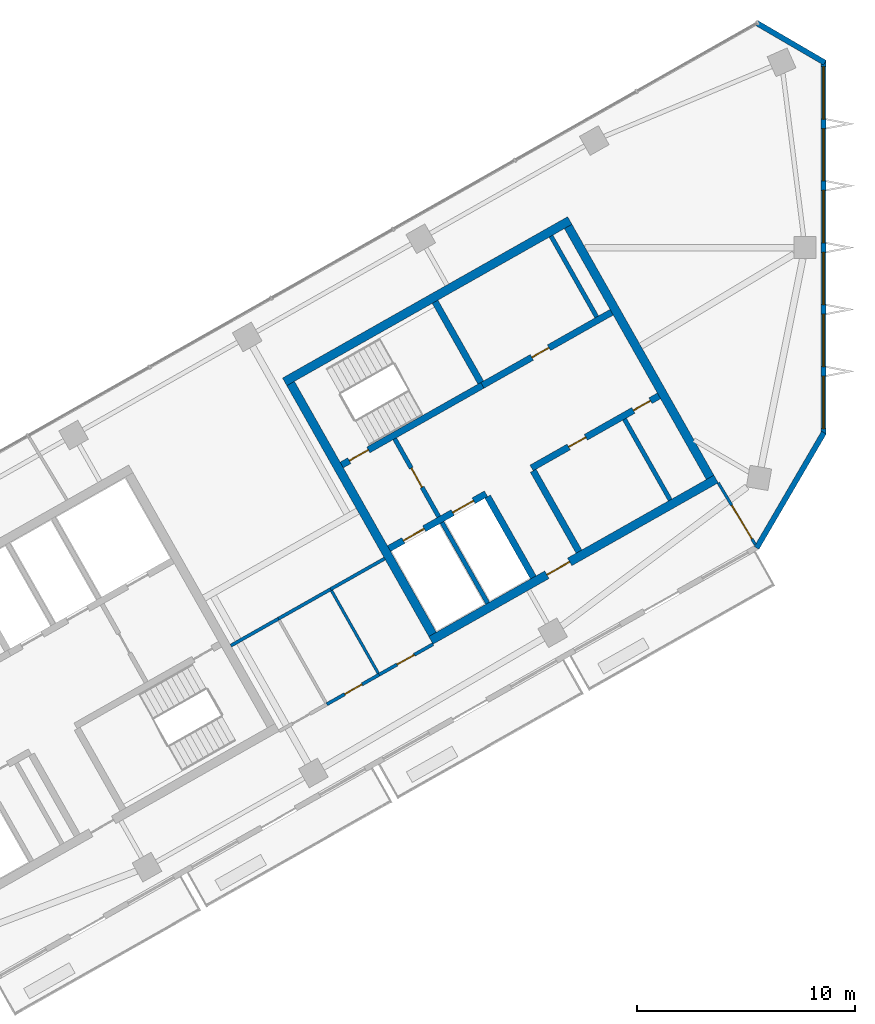
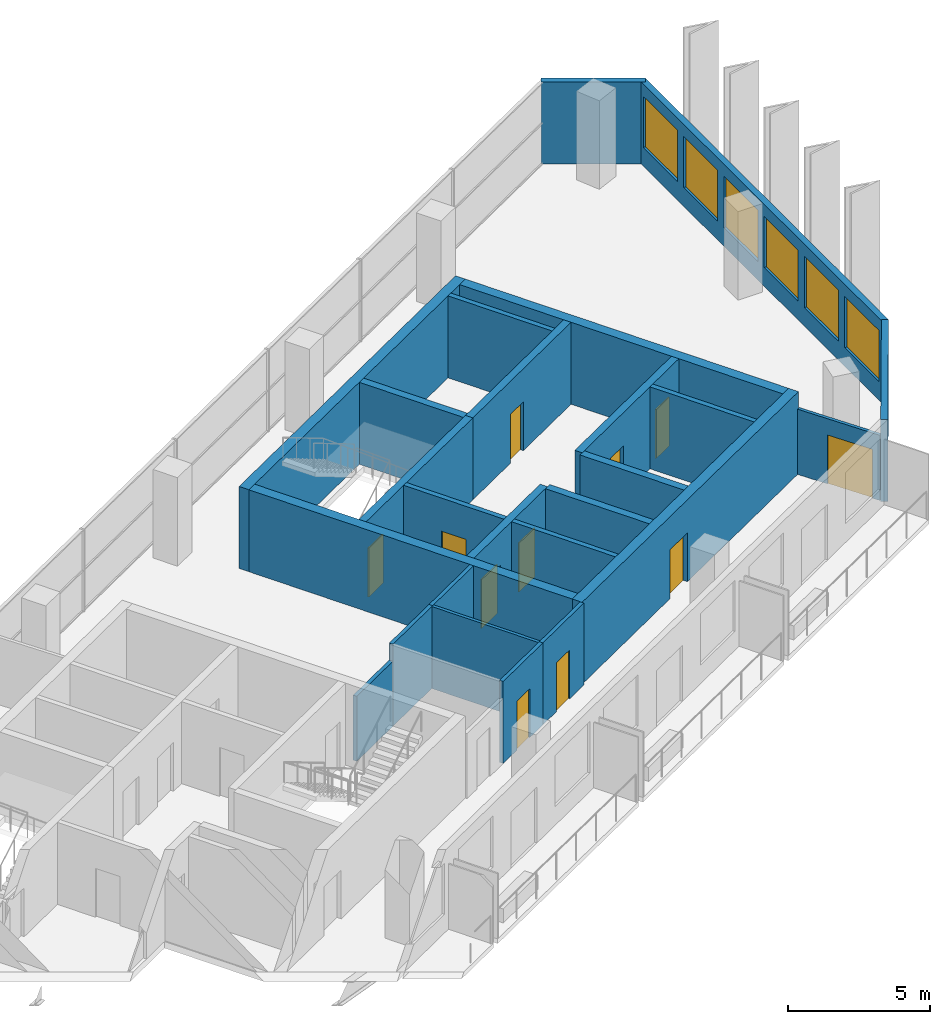
# One storey, part 7 of 10: 25 walls, 11 doors, 6 windows, 17 openings.
"""IFC4 building model written with IfcOpenShell, lengths in metres."""

from ifc_helpers import new_model, si_unit, direction, frame, frame_2d, origin, place, context, subcontext, project, spatial, rectangle, extrude, material, layer, layer_set, type_object, element, fill, save


model = new_model("IFC4")

# Units and contexts
model_context = context("Model", 3, precision=1e-05, world=origin(), true_north=direction((0.0, 1.0)))
body_context = subcontext(model_context, "Body", "Model", "MODEL_VIEW")
ifc_project = project(units=[si_unit("LENGTHUNIT", "METRE"), si_unit("AREAUNIT", "SQUARE_METRE"), si_unit("VOLUMEUNIT", "CUBIC_METRE"), si_unit("PLANEANGLEUNIT", "RADIAN"), si_unit("MASSUNIT", "GRAM", prefix="KILO")], contexts=[model_context])

# Site, building, storey
site_placement = place(None, origin())
site = spatial("IfcSite", under=ifc_project, at=site_placement, CompositionType="ELEMENT")
building_placement = place(site_placement, origin())
building = spatial("IfcBuilding", under=site, at=building_placement, Name="Binnacle Exchange Tower", CompositionType="ELEMENT")
storey_placement = place(building_placement, frame((0.0, 0.0, 331.699951171875)))
storey = spatial("IfcBuildingStorey", under=building, at=storey_placement, Name="L75", CompositionType="ELEMENT", Elevation=331.699951171875)

# Wall
ifc_material_1 = material(Name="Gypsum partition fire rated")
ifc_layer_1 = layer(ifc_material_1, 0.199951171875)
ifc_layer_set_1 = layer_set([ifc_layer_1], Name="Core partition 200")
wall_type_1 = type_object("IfcWallType", Name="Core partition 200", PredefinedType="PARTITIONING", material=ifc_layer_set_1)
wall_1_placement = place(storey_placement, frame((-9.11279296875, 52.14404296875, 0.0), z_axis=(0.0, 0.0, 1.0), x_axis=(0.492422543467, -0.870356271124, 0.0)))
element("IfcWall", 1, at=wall_1_placement, inside=storey, type_object=wall_type_1, Name="Core wall CRWC22", PredefinedType="PARTITIONING", context=body_context, shape_type="SweptSolid", body=[
    extrude(rectangle(XDim=4.25, YDim=0.199951171875, at=frame_2d((2.125, 0.0))), origin(), (0.0, 0.0, 1.0), 3.52001953125),
])

# Wall, openings, doors
ifc_material_2 = material(Name="Concrete C70/85", Category="concrete")
ifc_layer_2 = layer(ifc_material_2, 0.300048828125)
ifc_layer_set_2 = layer_set([ifc_layer_2], Name="Core wall - front 300")
wall_type_2 = type_object("IfcWallType", Name="Core wall - front 300", PredefinedType="SOLIDWALL", material=ifc_layer_set_2)
wall_2_placement = place(storey_placement, frame((-19.89208984375, 46.2177734375, 0.0), z_axis=(0.0, 0.0, 1.0), x_axis=(0.870341639186, 0.492448404505, 0.0)))
wall_2 = element("IfcWall", 2, at=wall_2_placement, inside=storey, type_object=wall_type_2, Name="Core wall CRWC2", PredefinedType="SOLIDWALL", context=body_context, shape_type="SweptSolid", body=[
    extrude(rectangle(XDim=5.099853515625, YDim=0.300048828125, at=frame_2d((2.5498046875, 0.0))), origin(), (0.0, 0.0, 1.0), 3.52001953125),
])
opening_1_placement = place(wall_2_placement, frame((0.75, 0.0, 0.0)))
opening_1 = element("IfcOpeningElement", 3, at=opening_1_placement, cuts=wall_2, Name="Opening LD14", PredefinedType="OPENING", context=body_context, shape_type="SweptSolid", body=[
    extrude(rectangle(XDim=1.10009765625, YDim=2.10009765625, at=frame_2d((0.550048828125, 1.050048828125))), frame((0.0, 0.159912109375, 0.0), z_axis=(0.0, -1.0, 0.0), x_axis=(1.0, 0.0, 0.0)), (0.0, 0.0, 1.0), 0.320068359375),
])
opening_2_placement = place(wall_2_placement, frame((3.35009765625, 0.0, 0.0)))
opening_2 = element("IfcOpeningElement", 4, at=opening_2_placement, cuts=wall_2, Name="Opening LD11", PredefinedType="OPENING", context=body_context, shape_type="SweptSolid", body=[
    extrude(rectangle(XDim=1.10009765625, YDim=2.10009765625, at=frame_2d((0.550048828125, 1.050048828125))), frame((0.0, 0.159912109375, 0.0), z_axis=(0.0, -1.0, 0.0), x_axis=(1.0, 0.0, 0.0)), (0.0, 0.0, 1.0), 0.320068359375),
])
ifc_material_3 = material(Name="Steel door leaf", Category="steel")
door_type_1 = type_object("IfcDoorType", Name="Fire door - lift landing 1100", OperationType="NOTDEFINED", PredefinedType="DOOR", material=ifc_material_3)
door_1_placement = place(opening_1_placement, origin())
door_1 = element("IfcDoor", 5, at=door_1_placement, inside=storey, type_object=door_type_1, Name="Landing door LD14 L75", OperationType="DOUBLE_DOOR_SLIDING", OverallHeight=2.10009765625, OverallWidth=1.10009765625, PredefinedType="DOOR", context=body_context, shape_type="SweptSolid", body=[
    extrude(rectangle(XDim=1.10009765625, YDim=2.10009765625, at=frame_2d((0.550048828125, 1.050048828125))), frame((0.0, 0.02490234375, 0.0), z_axis=(0.0, -1.0, 0.0), x_axis=(1.0, 0.0, 0.0)), (0.0, 0.0, 1.0), 0.050048828125),
])
fill(opening_1, door_1)
door_2_placement = place(opening_2_placement, origin())
door_2 = element("IfcDoor", 6, at=door_2_placement, inside=storey, type_object=door_type_1, Name="Landing door LD11 L75", OperationType="DOUBLE_DOOR_SLIDING", OverallHeight=2.10009765625, OverallWidth=1.10009765625, PredefinedType="DOOR", context=body_context, shape_type="SweptSolid", body=[
    extrude(rectangle(XDim=1.10009765625, YDim=2.10009765625, at=frame_2d((0.550048828125, 1.050048828125))), frame((0.0, 0.02490234375, 0.0), z_axis=(0.0, -1.0, 0.0), x_axis=(1.0, 0.0, 0.0)), (0.0, 0.0, 1.0), 0.050048828125),
])
fill(opening_2, door_2)

wall_3_placement = place(storey_placement, frame((-13.364501953125, 49.910888671875, 0.0), z_axis=(0.0, 0.0, 1.0), x_axis=(0.870347618718, 0.492437836272, 0.0)))
wall_3 = element("IfcWall", 7, at=wall_3_placement, inside=storey, type_object=wall_type_2, Name="Core wall CRWC3", PredefinedType="SOLIDWALL", context=body_context, shape_type="SweptSolid", body=[
    extrude(rectangle(XDim=6.699951171875, YDim=0.300048828125, at=frame_2d((3.35009765625, 0.0))), origin(), (0.0, 0.0, 1.0), 3.52001953125),
])
opening_3_placement = place(wall_3_placement, frame((1.949951171875, 0.0, 0.0)))
opening_3 = element("IfcOpeningElement", 8, at=opening_3_placement, cuts=wall_3, Name="Opening DC18", PredefinedType="OPENING", context=body_context, shape_type="SweptSolid", body=[
    extrude(rectangle(XDim=0.89990234375, YDim=2.10009765625, at=frame_2d((0.449951171875, 1.050048828125))), frame((0.0, 0.159912109375, 0.0), z_axis=(0.0, -1.0, 0.0), x_axis=(1.0, 0.0, 0.0)), (0.0, 0.0, 1.0), 0.320068359375),
])
opening_4_placement = place(wall_3_placement, frame((5.35009765625, 0.0, 0.0)))
opening_4 = element("IfcOpeningElement", 9, at=opening_4_placement, cuts=wall_3, Name="Opening DC19", PredefinedType="OPENING", context=body_context, shape_type="SweptSolid", body=[
    extrude(rectangle(XDim=0.89990234375, YDim=2.10009765625, at=frame_2d((0.449951171875, 1.050048828125))), frame((0.0, 0.159912109375, 0.0), z_axis=(0.0, -1.0, 0.0), x_axis=(1.0, 0.0, 0.0)), (0.0, 0.0, 1.0), 0.320068359375),
])
door_type_2 = type_object("IfcDoorType", Name="Fire door 900", OperationType="NOTDEFINED", PredefinedType="DOOR", material=ifc_material_3)
door_3_placement = place(opening_3_placement, frame((0.89990234375, 0.0, 0.0), z_axis=(0.0, 0.0, 1.0), x_axis=(-1.0, 0.0, 0.0)))
door_3 = element("IfcDoor", 10, at=door_3_placement, inside=storey, type_object=door_type_2, Name="Core room door TELECOM RISER ROOM", OperationType="SINGLE_SWING_RIGHT", OverallHeight=2.10009765625, OverallWidth=0.89990234375, PredefinedType="DOOR", context=body_context, shape_type="SweptSolid", body=[
    extrude(rectangle(XDim=0.89990234375, YDim=2.10009765625, at=frame_2d((0.449951171875, 1.050048828125))), frame((0.0, 0.02490234375, 0.0), z_axis=(0.0, -1.0, 0.0), x_axis=(1.0, 0.0, 0.0)), (0.0, 0.0, 1.0), 0.050048828125),
])
fill(opening_3, door_3)
door_4_placement = place(opening_4_placement, frame((0.89990234375, 0.0, 0.0), z_axis=(0.0, 0.0, 1.0), x_axis=(-1.0, 0.0, 0.0)))
door_4 = element("IfcDoor", 11, at=door_4_placement, inside=storey, type_object=door_type_2, Name="Core room door FIBRE ENTRY ROOM", OperationType="SINGLE_SWING_LEFT", OverallHeight=2.10009765625, OverallWidth=0.89990234375, PredefinedType="DOOR", context=body_context, shape_type="SweptSolid", body=[
    extrude(rectangle(XDim=0.89990234375, YDim=2.10009765625, at=frame_2d((0.449951171875, 1.050048828125))), frame((0.0, 0.02490234375, 0.0), z_axis=(0.0, -1.0, 0.0), x_axis=(1.0, 0.0, 0.0)), (0.0, 0.0, 1.0), 0.050048828125),
])
fill(opening_4, door_4)

# Wall, opening, door
wall_4_placement = place(storey_placement, frame((-15.6181640625, 53.69140625, 0.0), z_axis=(0.0, 0.0, 1.0), x_axis=(0.870362830851, 0.492410948978, 0.0)))
wall_4 = element("IfcWall", 12, at=wall_4_placement, inside=storey, type_object=wall_type_2, Name="Core wall CRWC5", PredefinedType="SOLIDWALL", context=body_context, shape_type="SweptSolid", body=[
    extrude(rectangle(XDim=6.800048828125, YDim=0.300048828125, at=frame_2d((3.39990234375, 0.0))), origin(), (0.0, 0.0, 1.0), 3.52001953125),
])
opening_5_placement = place(wall_4_placement, frame((2.60009765625, 0.0, 0.0)))
opening_5 = element("IfcOpeningElement", 13, at=opening_5_placement, cuts=wall_4, Name="Opening DC10", PredefinedType="OPENING", context=body_context, shape_type="SweptSolid", body=[
    extrude(rectangle(XDim=0.89990234375, YDim=2.10009765625, at=frame_2d((0.449951171875, 1.050048828125))), frame((0.0, 0.159912109375, 0.0), z_axis=(0.0, -1.0, 0.0), x_axis=(1.0, 0.0, 0.0)), (0.0, 0.0, 1.0), 0.320068359375),
])
door_5_placement = place(opening_5_placement, origin())
door_5 = element("IfcDoor", 14, at=door_5_placement, inside=storey, type_object=door_type_2, Name="Core room door SPARES STORE", OperationType="SINGLE_SWING_LEFT", OverallHeight=2.10009765625, OverallWidth=0.89990234375, PredefinedType="DOOR", context=body_context, shape_type="SweptSolid", body=[
    extrude(rectangle(XDim=0.89990234375, YDim=2.10009765625, at=frame_2d((0.449951171875, 1.050048828125))), frame((0.0, 0.02490234375, 0.0), z_axis=(0.0, -1.0, 0.0), x_axis=(1.0, 0.0, 0.0)), (0.0, 0.0, 1.0), 0.050048828125),
])
fill(opening_5, door_5)

# Walls
wall_5_placement = place(storey_placement, frame((-15.37939453125, 48.5986328125, 0.0), z_axis=(0.0, 0.0, 1.0), x_axis=(0.492422543467, -0.870356271124, 0.0)))
element("IfcWall", 15, at=wall_5_placement, inside=storey, type_object=wall_type_2, Name="Core wall CRWC13", PredefinedType="SOLIDWALL", context=body_context, shape_type="SweptSolid", body=[
    extrude(rectangle(XDim=4.25, YDim=0.300048828125, at=frame_2d((2.125, 0.0))), origin(), (0.0, 0.0, 1.0), 3.52001953125),
])
wall_6_placement = place(storey_placement, frame((-13.29052734375, 49.780517578125, 0.0), z_axis=(0.0, 0.0, 1.0), x_axis=(0.492397924348, -0.870370199454, 0.0)))
element("IfcWall", 16, at=wall_6_placement, inside=storey, type_object=wall_type_2, Name="Core wall CRWC15", PredefinedType="SOLIDWALL", context=body_context, shape_type="SweptSolid", body=[
    extrude(rectangle(XDim=4.250244140625, YDim=0.300048828125, at=frame_2d((2.125, 0.0))), origin(), (0.0, 0.0, 1.0), 3.52001953125),
])

# Wall, opening, door
ifc_layer_3 = layer(ifc_material_2, 0.39990234375)
ifc_layer_set_3 = layer_set([ifc_layer_3], Name="Core wall - outer 400")
wall_type_3 = type_object("IfcWallType", Name="Core wall - outer 400", PredefinedType="SOLIDWALL", material=ifc_layer_set_3)
wall_7_placement = place(storey_placement, frame((-17.97509765625, 42.01708984375, 0.0), z_axis=(0.0, 0.0, 1.0), x_axis=(0.87034965173, 0.492434243055, 0.0)))
wall_7 = element("IfcWall", 17, at=wall_7_placement, inside=storey, type_object=wall_type_3, Name="Core wall CRWC1", PredefinedType="SOLIDWALL", context=body_context, shape_type="SweptSolid", body=[
    extrude(rectangle(XDim=15.0, YDim=0.39990234375, at=frame_2d((7.5, 0.0))), origin(), (0.0, 0.0, 1.0), 3.52001953125),
])
opening_6_placement = place(wall_7_placement, frame((6.10009765625, 0.0, 0.0)))
opening_6 = element("IfcOpeningElement", 18, at=opening_6_placement, cuts=wall_7, Name="Opening DC7", PredefinedType="OPENING", context=body_context, shape_type="SweptSolid", body=[
    extrude(rectangle(XDim=1.199951171875, YDim=2.10009765625, at=frame_2d((0.60009765625, 1.050048828125))), frame((0.0, 0.2099609375, 0.0), z_axis=(0.0, -1.0, 0.0), x_axis=(1.0, 0.0, 0.0)), (0.0, 0.0, 1.0), 0.419921875),
])
door_type_3 = type_object("IfcDoorType", Name="Fire door 1200", OperationType="NOTDEFINED", PredefinedType="DOOR", material=ifc_material_3)
door_6_placement = place(opening_6_placement, frame((1.199951171875, 0.0, 0.0), z_axis=(0.0, 0.0, 1.0), x_axis=(-1.0, 0.0, 0.0)))
door_6 = element("IfcDoor", 19, at=door_6_placement, inside=storey, type_object=door_type_3, Name="Lift lobby entrance door core C", OperationType="SINGLE_SWING_RIGHT", OverallHeight=2.10009765625, OverallWidth=1.199951171875, PredefinedType="DOOR", context=body_context, shape_type="SweptSolid", body=[
    extrude(rectangle(XDim=1.199951171875, YDim=2.10009765625, at=frame_2d((0.60009765625, 1.050048828125))), frame((0.0, 0.02490234375, 0.0), z_axis=(0.0, -1.0, 0.0), x_axis=(1.0, 0.0, 0.0)), (0.0, 0.0, 1.0), 0.050048828125),
])
fill(opening_6, door_6)

# Walls
wall_8_placement = place(storey_placement, frame((-24.672119140625, 53.85400390625, 0.0), z_axis=(0.0, 0.0, 1.0), x_axis=(0.870353598469, 0.492427267353, 0.0)))
element("IfcWall", 20, at=wall_8_placement, inside=storey, type_object=wall_type_3, Name="Core wall CRWC6", PredefinedType="SOLIDWALL", context=body_context, shape_type="SweptSolid", body=[
    extrude(rectangle(XDim=15.000244140625, YDim=0.39990234375, at=frame_2d((7.5, 0.0))), origin(), (0.0, 0.0, 1.0), 3.52001953125),
])
for number, where, z_axis, x_axis, name in (
    (21, (-24.399658203125, 53.778564453125, 0.0), (0.0, 0.0, 1.0), (0.492421663121, -0.870356769198, 0.0), "Core wall CRWC7"),
    (22, (-11.6923828125, 60.968017578125, 0.0), (0.0, 0.0, 1.0), (0.492421663121, -0.870356769198, 0.0), "Core wall CRWC24"),
):
    element("IfcWall", number, at=place(storey_placement, frame(where, z_axis=z_axis, x_axis=x_axis)), inside=storey, type_object=wall_type_3, Name=name, PredefinedType="SOLIDWALL", context=body_context, shape_type="SweptSolid", body=[
        extrude(rectangle(XDim=13.199951171875, YDim=0.39990234375, at=frame_2d((6.60009765625, 0.0))), origin(), (0.0, 0.0, 1.0), 3.52001953125),
    ])

# Wall, opening, door
ifc_layer_4 = layer(ifc_material_2, 0.300048828125)
ifc_layer_set_4 = layer_set([ifc_layer_4], Name="Core wall - stair 300")
wall_type_4 = type_object("IfcWallType", Name="Core wall - stair 300", PredefinedType="SOLIDWALL", material=ifc_layer_set_4)
wall_9_placement = place(storey_placement, frame((-22.058837890625, 50.04736328125, 0.0), z_axis=(0.0, 0.0, 1.0), x_axis=(0.87035077051, 0.49243226567, 0.0)))
wall_9 = element("IfcWall", 23, at=wall_9_placement, inside=storey, type_object=wall_type_4, Name="Core wall CRWC4", PredefinedType="SOLIDWALL", context=body_context, shape_type="SweptSolid", body=[
    extrude(rectangle(XDim=7.400146484375, YDim=0.300048828125, at=frame_2d((3.7001953125, 0.0))), origin(), (0.0, 0.0, 1.0), 3.52001953125),
])
opening_7_placement = place(wall_9_placement, frame((0.39990234375, 0.0, 0.0)))
opening_7 = element("IfcOpeningElement", 24, at=opening_7_placement, cuts=wall_9, Name="Opening DC1", PredefinedType="OPENING", context=body_context, shape_type="SweptSolid", body=[
    extrude(rectangle(XDim=1.0, YDim=2.10009765625, at=frame_2d((0.5, 1.050048828125))), frame((0.0, 0.159912109375, 0.0), z_axis=(0.0, -1.0, 0.0), x_axis=(1.0, 0.0, 0.0)), (0.0, 0.0, 1.0), 0.320068359375),
])
door_type_4 = type_object("IfcDoorType", Name="Fire door 1000", OperationType="NOTDEFINED", PredefinedType="DOOR", material=ifc_material_3)
door_7_placement = place(opening_7_placement, origin())
door_7 = element("IfcDoor", 25, at=door_7_placement, inside=storey, type_object=door_type_4, Name="Stair door ST-C1", OperationType="SINGLE_SWING_LEFT", OverallHeight=2.10009765625, OverallWidth=1.0, PredefinedType="DOOR", context=body_context, shape_type="SweptSolid", body=[
    extrude(rectangle(XDim=1.0, YDim=2.10009765625, at=frame_2d((0.5, 1.050048828125))), frame((0.0, 0.02490234375, 0.0), z_axis=(0.0, -1.0, 0.0), x_axis=(1.0, 0.0, 0.0)), (0.0, 0.0, 1.0), 0.050048828125),
])
fill(opening_7, door_7)

# Walls
wall_10_placement = place(storey_placement, frame((-17.784912109375, 57.52099609375, 0.0), z_axis=(0.0, 0.0, 1.0), x_axis=(0.492422543467, -0.870356271124, 0.0)))
element("IfcWall", 26, at=wall_10_placement, inside=storey, type_object=wall_type_4, Name="Core wall CRWC14", PredefinedType="SOLIDWALL", context=body_context, shape_type="SweptSolid", body=[
    extrude(rectangle(XDim=4.25, YDim=0.300048828125, at=frame_2d((2.125, 0.0))), origin(), (0.0, 0.0, 1.0), 3.52001953125),
])
ifc_material_4 = material(Name="Bronze aluminium cladding", Category="aluminium")
ifc_layer_5 = layer(ifc_material_4, 0.25)
ifc_layer_set_5 = layer_set([ifc_layer_5], Name="External wall - window wall 250")
wall_type_5 = type_object("IfcWallType", Name="External wall - window wall 250", PredefinedType="STANDARD", material=ifc_layer_set_5)
wall_11_placement = place(storey_placement, frame((0.01708984375, 51.529296875, 0.0), z_axis=(0.0, 0.0, 1.0), x_axis=(-0.503769237131, -0.863838269424, 0.0)))
element("IfcWall", 27, at=wall_11_placement, inside=storey, type_object=wall_type_5, Name="External wall EW-H00 L75", PredefinedType="STANDARD", context=body_context, shape_type="SweptSolid", body=[
    extrude(rectangle(XDim=6.114501953125, YDim=0.25, at=frame_2d((3.05712890625, 0.0))), origin(), (0.0, 0.0, 1.0), 3.52001953125),
])

# Wall, openings, windows
wall_12_placement = place(storey_placement, frame((0.0, 68.57177734375, 0.0), z_axis=(0.0, 0.0, 1.0), x_axis=(0.0, -1.0, 0.0)))
wall_12 = element("IfcWall", 28, at=wall_12_placement, inside=storey, type_object=wall_type_5, Name="External wall EW-H01 L75", PredefinedType="STANDARD", context=body_context, shape_type="SweptSolid", body=[
    extrude(rectangle(XDim=17.10546875, YDim=0.25, at=frame_2d((8.552734375, 0.0))), origin(), (0.0, 0.0, 1.0), 3.52001953125),
])
opening_8_placement = place(wall_12_placement, frame((14.455078125, 0.0, 0.800048828125)))
opening_8 = element("IfcOpeningElement", 29, at=opening_8_placement, cuts=wall_12, Name="Opening WR2", PredefinedType="OPENING", context=body_context, shape_type="SweptSolid", body=[
    extrude(rectangle(XDim=2.39990234375, YDim=2.199951171875, at=frame_2d((1.199951171875, 1.10009765625))), frame((0.0, 0.135009765625, 0.0), z_axis=(0.0, -1.0, 0.0), x_axis=(1.0, 0.0, 0.0)), (0.0, 0.0, 1.0), 0.27001953125),
])
opening_9_placement = place(wall_12_placement, frame((11.621826171875, 0.0, 0.800048828125)))
opening_9 = element("IfcOpeningElement", 30, at=opening_9_placement, cuts=wall_12, Name="Opening WR2", PredefinedType="OPENING", context=body_context, shape_type="SweptSolid", body=[
    extrude(rectangle(XDim=2.39990234375, YDim=2.199951171875, at=frame_2d((1.199951171875, 1.10009765625))), frame((0.0, 0.135009765625, 0.0), z_axis=(0.0, -1.0, 0.0), x_axis=(1.0, 0.0, 0.0)), (0.0, 0.0, 1.0), 0.27001953125),
])
opening_10_placement = place(wall_12_placement, frame((8.78857421875, 0.0, 0.800048828125)))
opening_10 = element("IfcOpeningElement", 31, at=opening_10_placement, cuts=wall_12, Name="Opening WR2", PredefinedType="OPENING", context=body_context, shape_type="SweptSolid", body=[
    extrude(rectangle(XDim=2.39990234375, YDim=2.199951171875, at=frame_2d((1.199951171875, 1.10009765625))), frame((0.0, 0.135009765625, 0.0), z_axis=(0.0, -1.0, 0.0), x_axis=(1.0, 0.0, 0.0)), (0.0, 0.0, 1.0), 0.27001953125),
])
opening_11_placement = place(wall_12_placement, frame((5.955078125, 0.0, 0.800048828125)))
opening_11 = element("IfcOpeningElement", 32, at=opening_11_placement, cuts=wall_12, Name="Opening WR2", PredefinedType="OPENING", context=body_context, shape_type="SweptSolid", body=[
    extrude(rectangle(XDim=2.39990234375, YDim=2.199951171875, at=frame_2d((1.199951171875, 1.10009765625))), frame((0.0, 0.135009765625, 0.0), z_axis=(0.0, -1.0, 0.0), x_axis=(1.0, 0.0, 0.0)), (0.0, 0.0, 1.0), 0.27001953125),
])
opening_12_placement = place(wall_12_placement, frame((3.121826171875, 0.0, 0.800048828125)))
opening_12 = element("IfcOpeningElement", 33, at=opening_12_placement, cuts=wall_12, Name="Opening WR2", PredefinedType="OPENING", context=body_context, shape_type="SweptSolid", body=[
    extrude(rectangle(XDim=2.39990234375, YDim=2.199951171875, at=frame_2d((1.199951171875, 1.10009765625))), frame((0.0, 0.135009765625, 0.0), z_axis=(0.0, -1.0, 0.0), x_axis=(1.0, 0.0, 0.0)), (0.0, 0.0, 1.0), 0.27001953125),
])
opening_13_placement = place(wall_12_placement, frame((0.28857421875, 0.0, 0.800048828125)))
opening_13 = element("IfcOpeningElement", 34, at=opening_13_placement, cuts=wall_12, Name="Opening WR2", PredefinedType="OPENING", context=body_context, shape_type="SweptSolid", body=[
    extrude(rectangle(XDim=2.39990234375, YDim=2.199951171875, at=frame_2d((1.199951171875, 1.10009765625))), frame((0.0, 0.135009765625, 0.0), z_axis=(0.0, -1.0, 0.0), x_axis=(1.0, 0.0, 0.0)), (0.0, 0.0, 1.0), 0.27001953125),
])
ifc_material_5 = material(Name="Bronze anodised aluminium frame", Category="aluminium")
window_type = type_object("IfcWindowType", Name="WR2 WINDOW 2400x2200", PartitioningType="SINGLE_PANEL", PredefinedType="WINDOW", material=ifc_material_5)
window_1_placement = place(opening_8_placement, origin())
window_1 = element("IfcWindow", 35, at=window_1_placement, inside=storey, type_object=window_type, Name="Window WR2 L75", OverallHeight=2.199951171875, OverallWidth=2.39990234375, PartitioningType="SINGLE_PANEL", PredefinedType="WINDOW", context=body_context, shape_type="SweptSolid", body=[
    extrude(rectangle(XDim=2.39990234375, YDim=2.199951171875, at=frame_2d((1.199951171875, 1.10009765625))), frame((0.0, 0.030029296875, 0.0), z_axis=(0.0, -1.0, 0.0), x_axis=(1.0, 0.0, 0.0)), (0.0, 0.0, 1.0), 0.06005859375),
])
fill(opening_8, window_1)
window_2_placement = place(opening_9_placement, origin())
window_2 = element("IfcWindow", 36, at=window_2_placement, inside=storey, type_object=window_type, Name="Window WR2 L75", OverallHeight=2.199951171875, OverallWidth=2.39990234375, PartitioningType="SINGLE_PANEL", PredefinedType="WINDOW", context=body_context, shape_type="SweptSolid", body=[
    extrude(rectangle(XDim=2.39990234375, YDim=2.199951171875, at=frame_2d((1.199951171875, 1.10009765625))), frame((0.0, 0.030029296875, 0.0), z_axis=(0.0, -1.0, 0.0), x_axis=(1.0, 0.0, 0.0)), (0.0, 0.0, 1.0), 0.06005859375),
])
fill(opening_9, window_2)
window_3_placement = place(opening_10_placement, origin())
window_3 = element("IfcWindow", 37, at=window_3_placement, inside=storey, type_object=window_type, Name="Window WR2 L75", OverallHeight=2.199951171875, OverallWidth=2.39990234375, PartitioningType="SINGLE_PANEL", PredefinedType="WINDOW", context=body_context, shape_type="SweptSolid", body=[
    extrude(rectangle(XDim=2.39990234375, YDim=2.199951171875, at=frame_2d((1.199951171875, 1.10009765625))), frame((0.0, 0.030029296875, 0.0), z_axis=(0.0, -1.0, 0.0), x_axis=(1.0, 0.0, 0.0)), (0.0, 0.0, 1.0), 0.06005859375),
])
fill(opening_10, window_3)
window_4_placement = place(opening_11_placement, origin())
window_4 = element("IfcWindow", 38, at=window_4_placement, inside=storey, type_object=window_type, Name="Window WR2 L75", OverallHeight=2.199951171875, OverallWidth=2.39990234375, PartitioningType="SINGLE_PANEL", PredefinedType="WINDOW", context=body_context, shape_type="SweptSolid", body=[
    extrude(rectangle(XDim=2.39990234375, YDim=2.199951171875, at=frame_2d((1.199951171875, 1.10009765625))), frame((0.0, 0.030029296875, 0.0), z_axis=(0.0, -1.0, 0.0), x_axis=(1.0, 0.0, 0.0)), (0.0, 0.0, 1.0), 0.06005859375),
])
fill(opening_11, window_4)
window_5_placement = place(opening_12_placement, origin())
window_5 = element("IfcWindow", 39, at=window_5_placement, inside=storey, type_object=window_type, Name="Window WR2 L75", OverallHeight=2.199951171875, OverallWidth=2.39990234375, PartitioningType="SINGLE_PANEL", PredefinedType="WINDOW", context=body_context, shape_type="SweptSolid", body=[
    extrude(rectangle(XDim=2.39990234375, YDim=2.199951171875, at=frame_2d((1.199951171875, 1.10009765625))), frame((0.0, 0.030029296875, 0.0), z_axis=(0.0, -1.0, 0.0), x_axis=(1.0, 0.0, 0.0)), (0.0, 0.0, 1.0), 0.06005859375),
])
fill(opening_12, window_5)
window_6_placement = place(opening_13_placement, origin())
window_6 = element("IfcWindow", 40, at=window_6_placement, inside=storey, type_object=window_type, Name="Window WR2 L75", OverallHeight=2.199951171875, OverallWidth=2.39990234375, PartitioningType="SINGLE_PANEL", PredefinedType="WINDOW", context=body_context, shape_type="SweptSolid", body=[
    extrude(rectangle(XDim=2.39990234375, YDim=2.199951171875, at=frame_2d((1.199951171875, 1.10009765625))), frame((0.0, 0.030029296875, 0.0), z_axis=(0.0, -1.0, 0.0), x_axis=(1.0, 0.0, 0.0)), (0.0, 0.0, 1.0), 0.06005859375),
])
fill(opening_13, window_6)

# Wall
wall_13_placement = place(storey_placement, frame((-3.108154296875, 70.312744140625, 0.0), z_axis=(0.0, 0.0, 1.0), x_axis=(0.86382474085, -0.503792434536, 0.0)))
element("IfcWall", 41, at=wall_13_placement, inside=storey, type_object=wall_type_5, Name="External wall EW-H02 L75", PredefinedType="STANDARD", context=body_context, shape_type="SweptSolid", body=[
    extrude(rectangle(XDim=3.669921875, YDim=0.25, at=frame_2d((1.8349609375, 0.0))), origin(), (0.0, 0.0, 1.0), 3.52001953125),
])

# Wall, opening, door
ifc_material_6 = material(Name="Masonry block wall", Category="masonry")
ifc_layer_6 = layer(ifc_material_6, 0.199951171875)
ifc_layer_set_6 = layer_set([ifc_layer_6], Name="Fire wall - vestibule 200")
wall_type_6 = type_object("IfcWallType", Name="Fire wall - vestibule 200", PredefinedType="PARTITIONING", material=ifc_layer_set_6)
wall_14_placement = place(storey_placement, frame((-19.635009765625, 51.246337890625, 0.0), z_axis=(0.0, 0.0, 1.0), x_axis=(0.492408451753, -0.87036424366, 0.0)))
wall_14 = element("IfcWall", 42, at=wall_14_placement, inside=storey, type_object=wall_type_6, Name="Core wall CRWC10", PredefinedType="PARTITIONING", context=body_context, shape_type="SweptSolid", body=[
    extrude(rectangle(XDim=4.099853515625, YDim=0.199951171875, at=frame_2d((2.0498046875, 0.0))), origin(), (0.0, 0.0, 1.0), 3.52001953125),
])
opening_14_placement = place(wall_14_placement, frame((1.550048828125, 0.0, 0.0)))
opening_14 = element("IfcOpeningElement", 43, at=opening_14_placement, cuts=wall_14, Name="Opening DC3", PredefinedType="OPENING", context=body_context, shape_type="SweptSolid", body=[
    extrude(rectangle(XDim=1.0, YDim=2.10009765625, at=frame_2d((0.5, 1.050048828125))), frame((0.0, 0.10986328125, 0.0), z_axis=(0.0, -1.0, 0.0), x_axis=(1.0, 0.0, 0.0)), (0.0, 0.0, 1.0), 0.219970703125),
])
door_8_placement = place(opening_14_placement, frame((1.0, 0.0, 0.0), z_axis=(0.0, 0.0, 1.0), x_axis=(-1.0, 0.0, 0.0)))
door_8 = element("IfcDoor", 44, at=door_8_placement, inside=storey, type_object=door_type_4, Name="Vestibule door VEST-W", OperationType="SINGLE_SWING_RIGHT", OverallHeight=2.10009765625, OverallWidth=1.0, PredefinedType="DOOR", context=body_context, shape_type="SweptSolid", body=[
    extrude(rectangle(XDim=1.0, YDim=2.10009765625, at=frame_2d((0.5, 1.050048828125))), frame((0.0, 0.02490234375, 0.0), z_axis=(0.0, -1.0, 0.0), x_axis=(1.0, 0.0, 0.0)), (0.0, 0.0, 1.0), 0.050048828125),
])
fill(opening_14, door_8)

# Walls
ifc_layer_7 = layer(ifc_material_1, 0.14990234375)
ifc_layer_set_7 = layer_set([ifc_layer_7], Name="Fire-rated partition 150")
wall_type_7 = type_object("IfcWallType", Name="Fire-rated partition 150", PredefinedType="PARTITIONING", material=ifc_layer_set_7)
wall_15_placement = place(storey_placement, frame((-27.134033203125, 41.77587890625, 0.0), z_axis=(0.0, 0.0, 1.0), x_axis=(0.870249744125, 0.492610782312, 0.0)))
element("IfcWall", 45, at=wall_15_placement, inside=storey, type_object=wall_type_7, Name="Partition W03", PredefinedType="PARTITIONING", context=body_context, shape_type="SweptSolid", body=[
    extrude(rectangle(XDim=2.499267578125, YDim=0.14990234375, at=frame_2d((1.24951171875, 0.0))), origin(), (0.0, 0.0, 1.0), 2.7919921875),
])
wall_16_placement = place(storey_placement, frame((-24.958984375, 43.007080078125, 0.0), z_axis=(0.0, 0.0, 1.0), x_axis=(0.870430549821, 0.492291232848, 0.0)))
element("IfcWall", 46, at=wall_16_placement, inside=storey, type_object=wall_type_7, Name="Partition W05", PredefinedType="PARTITIONING", context=body_context, shape_type="SweptSolid", body=[
    extrude(rectangle(XDim=2.75048828125, YDim=0.14990234375, at=frame_2d((1.375244140625, 0.0))), origin(), (0.0, 0.0, 1.0), 3.52001953125),
])

# Wall, opening, door
wall_17_placement = place(storey_placement, frame((-22.742919921875, 39.090087890625, 0.0), z_axis=(0.0, 0.0, 1.0), x_axis=(0.870409035047, 0.492329271634, 0.0)))
wall_17 = element("IfcWall", 47, at=wall_17_placement, inside=storey, type_object=wall_type_7, Name="Partition W07", PredefinedType="PARTITIONING", context=body_context, shape_type="SweptSolid", body=[
    extrude(rectangle(XDim=2.750244140625, YDim=0.14990234375, at=frame_2d((1.375, 0.0))), origin(), (0.0, 0.0, 1.0), 3.52001953125),
])
opening_15_placement = place(wall_17_placement, frame((0.949951171875, 0.0, 0.0)))
opening_15 = element("IfcOpeningElement", 48, at=opening_15_placement, cuts=wall_17, Name="Opening DL74-02", PredefinedType="OPENING", context=body_context, shape_type="SweptSolid", body=[
    extrude(rectangle(XDim=0.89990234375, YDim=2.10009765625, at=frame_2d((0.449951171875, 1.050048828125))), frame((0.0, 0.0849609375, 0.0), z_axis=(0.0, -1.0, 0.0), x_axis=(1.0, 0.0, 0.0)), (0.0, 0.0, 1.0), 0.169921875),
])
door_9_placement = place(opening_15_placement, origin())
door_9 = element("IfcDoor", 49, at=door_9_placement, inside=storey, type_object=door_type_2, Name="Door DL74-02", OperationType="SINGLE_SWING_RIGHT", OverallHeight=2.10009765625, OverallWidth=0.89990234375, PredefinedType="DOOR", context=body_context, shape_type="SweptSolid", body=[
    extrude(rectangle(XDim=0.89990234375, YDim=2.10009765625, at=frame_2d((0.449951171875, 1.050048828125))), frame((0.0, 0.02490234375, 0.0), z_axis=(0.0, -1.0, 0.0), x_axis=(1.0, 0.0, 0.0)), (0.0, 0.0, 1.0), 0.050048828125),
])
fill(opening_15, door_9)

# Wall
wall_18_placement = place(storey_placement, frame((-22.56494140625, 44.361083984375, 0.0), z_axis=(0.0, 0.0, 1.0), x_axis=(0.87029856663, 0.492524522152, 0.0)))
element("IfcWall", 50, at=wall_18_placement, inside=storey, type_object=wall_type_7, Name="Partition W09", PredefinedType="PARTITIONING", context=body_context, shape_type="SweptSolid", body=[
    extrude(rectangle(XDim=2.84033203125, YDim=0.14990234375, at=frame_2d((1.420166015625, 0.0))), origin(), (0.0, 0.0, 1.0), 3.52001953125),
])

# Wall, opening, door
wall_19_placement = place(storey_placement, frame((-20.34912109375, 40.444091796875, 0.0), z_axis=(0.0, 0.0, 1.0), x_axis=(0.87031941539, 0.492487680247, 0.0)))
wall_19 = element("IfcWall", 51, at=wall_19_placement, inside=storey, type_object=wall_type_7, Name="Partition W10", PredefinedType="PARTITIONING", context=body_context, shape_type="SweptSolid", body=[
    extrude(rectangle(XDim=2.840576171875, YDim=0.14990234375, at=frame_2d((1.42041015625, 0.0))), origin(), (0.0, 0.0, 1.0), 3.52001953125),
])
opening_16_placement = place(wall_19_placement, frame((0.949951171875, 0.0, 0.0)))
opening_16 = element("IfcOpeningElement", 52, at=opening_16_placement, cuts=wall_19, Name="Opening DL74-03", PredefinedType="OPENING", context=body_context, shape_type="SweptSolid", body=[
    extrude(rectangle(XDim=0.89990234375, YDim=2.10009765625, at=frame_2d((0.449951171875, 1.050048828125))), frame((0.0, 0.0849609375, 0.0), z_axis=(0.0, -1.0, 0.0), x_axis=(1.0, 0.0, 0.0)), (0.0, 0.0, 1.0), 0.169921875),
])
door_10_placement = place(opening_16_placement, origin())
door_10 = element("IfcDoor", 53, at=door_10_placement, inside=storey, type_object=door_type_2, Name="Door DL74-03", OperationType="SINGLE_SWING_LEFT", OverallHeight=2.10009765625, OverallWidth=0.89990234375, PredefinedType="DOOR", context=body_context, shape_type="SweptSolid", body=[
    extrude(rectangle(XDim=0.89990234375, YDim=2.10009765625, at=frame_2d((0.449951171875, 1.050048828125))), frame((0.0, 0.02490234375, 0.0), z_axis=(0.0, -1.0, 0.0), x_axis=(1.0, 0.0, 0.0)), (0.0, 0.0, 1.0), 0.050048828125),
])
fill(opening_16, door_10)

# Wall
ifc_material_7 = material(Name="Gypsum partition")
ifc_layer_8 = layer(ifc_material_7, 0.125)
ifc_layer_set_8 = layer_set([ifc_layer_8], Name="Partition 125")
wall_type_8 = type_object("IfcWallType", Name="Partition 125", PredefinedType="PARTITIONING", material=ifc_layer_set_8)
wall_20_placement = place(storey_placement, frame((-22.56494140625, 44.361083984375, 0.0), z_axis=(0.0, 0.0, 1.0), x_axis=(0.492371842706, -0.870384954207, 0.0)))
element("IfcWall", 54, at=wall_20_placement, inside=storey, type_object=wall_type_8, Name="Partition W08", PredefinedType="PARTITIONING", context=body_context, shape_type="SweptSolid", body=[
    extrude(rectangle(XDim=4.500244140625, YDim=0.125, at=frame_2d((2.25, 0.0))), origin(), (0.0, 0.0, 1.0), 3.52001953125),
])

# Wall, opening, door
wall_21_placement = place(storey_placement, frame((-4.821044921875, 49.22998046875, 0.0), z_axis=(0.0, 0.0, 1.0), x_axis=(0.515006587647, -0.857186219371, 0.0)))
wall_21 = element("IfcWall", 55, at=wall_21_placement, inside=storey, type_object=wall_type_8, Name="Partition W11", PredefinedType="PARTITIONING", context=body_context, shape_type="SweptSolid", body=[
    extrude(rectangle(XDim=3.302734375, YDim=0.125, at=frame_2d((1.6513671875, 0.0))), origin(), (0.0, 0.0, 1.0), 2.800048828125),
])
opening_17_placement = place(wall_21_placement, frame((1.199951171875, 0.0, 0.0)))
opening_17 = element("IfcOpeningElement", 56, at=opening_17_placement, cuts=wall_21, Name="Opening DL74-05", PredefinedType="OPENING", context=body_context, shape_type="SweptSolid", body=[
    extrude(rectangle(XDim=1.800048828125, YDim=2.10009765625, at=frame_2d((0.89990234375, 1.050048828125))), frame((0.0, 0.072509765625, 0.0), z_axis=(0.0, -1.0, 0.0), x_axis=(1.0, 0.0, 0.0)), (0.0, 0.0, 1.0), 0.14501953125),
])
ifc_material_8 = material(Name="Timber door leaf", Category="wood")
door_type_5 = type_object("IfcDoorType", Name="Double door 1800", OperationType="NOTDEFINED", PredefinedType="DOOR", material=ifc_material_8)
door_11_placement = place(opening_17_placement, origin())
door_11 = element("IfcDoor", 57, at=door_11_placement, inside=storey, type_object=door_type_5, Name="Door DL74-05", OperationType="DOUBLE_DOOR_SINGLE_SWING", OverallHeight=2.10009765625, OverallWidth=1.800048828125, PredefinedType="DOOR", context=body_context, shape_type="SweptSolid", body=[
    extrude(rectangle(XDim=1.800048828125, YDim=2.10009765625, at=frame_2d((0.89990234375, 1.050048828125))), frame((0.0, 0.02490234375, 0.0), z_axis=(0.0, -1.0, 0.0), x_axis=(1.0, 0.0, 0.0)), (0.0, 0.0, 1.0), 0.050048828125),
])
fill(opening_17, door_11)

# Walls
ifc_layer_9 = layer(ifc_material_6, 0.199951171875)
ifc_layer_set_9 = layer_set([ifc_layer_9], Name="Riser wall 200")
wall_type_9 = type_object("IfcWallType", Name="Riser wall 200", PredefinedType="SOLIDWALL", material=ifc_layer_set_9)
wall_22_placement = place(storey_placement, frame((-12.4755859375, 60.524658203125, 0.0), z_axis=(0.0, 0.0, 1.0), x_axis=(0.492422543467, -0.870356271124, 0.0)))
element("IfcWall", 58, at=wall_22_placement, inside=storey, type_object=wall_type_9, Name="Core wall CRWC23", PredefinedType="SOLIDWALL", context=body_context, shape_type="SweptSolid", body=[
    extrude(rectangle(XDim=4.25, YDim=0.199951171875, at=frame_2d((2.125, 0.0))), origin(), (0.0, 0.0, 1.0), 3.52001953125),
])
ifc_layer_10 = layer(ifc_material_6, 0.199951171875)
ifc_layer_set_10 = layer_set([ifc_layer_10], Name="Shaft wall 200")
wall_type_10 = type_object("IfcWallType", Name="Shaft wall 200", PredefinedType="SOLIDWALL", material=ifc_layer_set_10)
wall_23_placement = place(storey_placement, frame((-17.468505859375, 47.416748046875, 0.0), z_axis=(0.0, 0.0, 1.0), x_axis=(0.492466057713, -0.870331650579, 0.0)))
element("IfcWall", 59, at=wall_23_placement, inside=storey, type_object=wall_type_10, Name="Core wall CRWC9", PredefinedType="SOLIDWALL", context=body_context, shape_type="SweptSolid", body=[
    extrude(rectangle(XDim=4.25, YDim=0.199951171875, at=frame_2d((2.125, 0.0))), origin(), (0.0, 0.0, 1.0), 3.52001953125),
])

save(model, "model.ifc")
